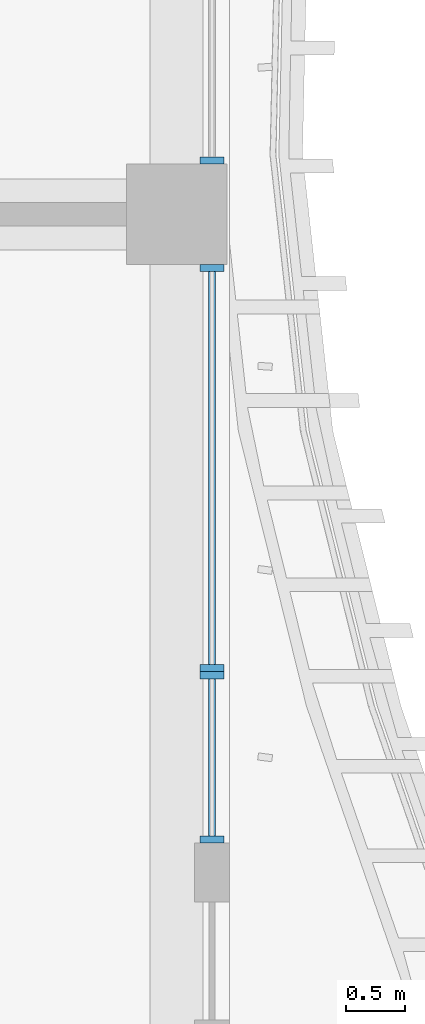
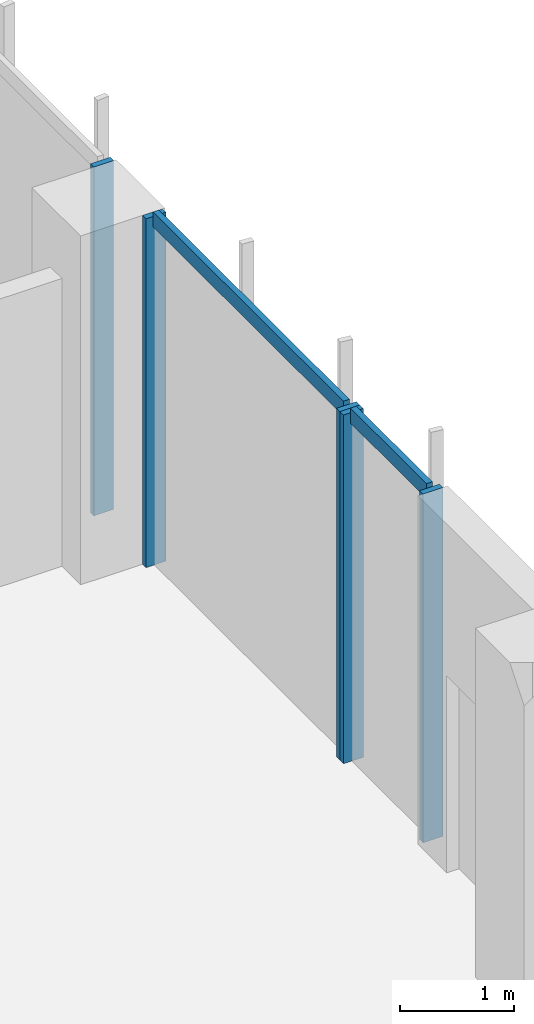
# One storey, part 6 of 25: 7 members, 3 elements without a shape of their own.
"""IFC4 building model written with IfcOpenShell, lengths in metres."""

from ifc_helpers import new_model, si_unit, direction, frame, origin, origin_2d, place, context, subcontext, project, spatial, rectangle, extrude, source, transform, mapped, material, material_profile, profile_set, type_object, element, aggregate, save


model = new_model("IFC4")

# Units and contexts
model_context = context("Model", 3, precision=1e-05, world=origin(), true_north=direction((0.0, 1.0)))
body_context = subcontext(model_context, "Body", "Model", "MODEL_VIEW")
ifc_project = project(units=[si_unit("LENGTHUNIT", "METRE"), si_unit("AREAUNIT", "SQUARE_METRE"), si_unit("VOLUMEUNIT", "CUBIC_METRE"), si_unit("PLANEANGLEUNIT", "RADIAN"), si_unit("MASSUNIT", "GRAM", prefix="KILO")], contexts=[model_context])

# Site, building, storey
site_placement = place(None, origin())
site = spatial("IfcSite", under=ifc_project, at=site_placement, CompositionType="ELEMENT")
building_placement = place(site_placement, origin())
building = spatial("IfcBuilding", under=site, at=building_placement, Name="Kilnfold Tower and Market Hall", CompositionType="ELEMENT")
storey_placement = place(building_placement, frame((0.0, 0.0, 120.60009765625)))
storey = spatial("IfcBuildingStorey", under=building, at=storey_placement, Name="L28", CompositionType="ELEMENT", Elevation=120.60009765625)

# Curtain wall, members
ifc_material_1 = material(Name="Aluminium and double glazing", Category="aluminium")
curtain_wall_type = type_object("IfcCurtainWallType", Name="CW OF2 VALLEY GLAZING", PredefinedType="NOTDEFINED", material=ifc_material_1)
curtain_wall_1_placement = place(storey_placement, origin())
curtain_wall_1 = element("IfcCurtainWall", 1, at=curtain_wall_1_placement, inside=storey, type_object=curtain_wall_type, Name="Curtain wall CW2 L28 E", PredefinedType="NOTDEFINED")
ifc_material_2 = material(Name="Aluminium", Category="aluminium")
ifc_material_profile_1 = material_profile(ifc_material_2, rectangle(XDim=0.06005859375, YDim=0.199951171875, at=origin_2d()), Name="MULLION 60x200")
ifc_profile_set_1 = profile_set([ifc_material_profile_1], Name="Aluminium")
member_type_1 = type_object("IfcMemberType", Name="MULLION 60X200", PredefinedType="MULLION", material=ifc_profile_set_1)
shared_shape_1 = source(origin(), body_context, "Body", "SweptSolid", [
    extrude(rectangle(XDim=0.06005859375, YDim=0.199951171875, at=origin_2d()), origin(), (0.0, 0.0, 1.0), 3.719970703125),
])
member_1_placement = place(storey_placement, frame((32.85009765625, 2.705078125, 0.0), z_axis=(0.0, 0.0, 1.0), x_axis=(0.0, 1.0, 0.0)))
member_1 = element("IfcMember", 2, at=member_1_placement, type_object=member_type_1, Name="CW2 mullion 1", PredefinedType="MULLION", context=body_context, shape_type="MappedRepresentation", body=[
    mapped(shared_shape_1, transform((0.0, 0.0, 0.0))),
])
member_2_placement = place(storey_placement, frame((32.85009765625, 4.094970703125, 0.0), z_axis=(0.0, 0.0, 1.0), x_axis=(0.0, 1.0, 0.0)))
member_2 = element("IfcMember", 3, at=member_2_placement, type_object=member_type_1, Name="CW2 mullion 2", PredefinedType="MULLION", context=body_context, shape_type="MappedRepresentation", body=[
    mapped(shared_shape_1, transform((0.0, 0.0, 0.0))),
])

curtain_wall_2_placement = place(storey_placement, origin())
curtain_wall_2 = element("IfcCurtainWall", 4, at=curtain_wall_2_placement, inside=storey, type_object=curtain_wall_type, Name="Curtain wall CW2 L28 E", PredefinedType="NOTDEFINED")
member_3_placement = place(storey_placement, frame((32.85009765625, 4.155029296875, 0.0), z_axis=(0.0, 0.0, 1.0), x_axis=(0.0, 1.0, 0.0)))
member_3 = element("IfcMember", 5, at=member_3_placement, type_object=member_type_1, Name="CW2 mullion 1", PredefinedType="MULLION", context=body_context, shape_type="MappedRepresentation", body=[
    mapped(shared_shape_1, transform((0.0, 0.0, 0.0))),
])
member_4_placement = place(storey_placement, frame((32.85009765625, 7.544921875, 0.0), z_axis=(0.0, 0.0, 1.0), x_axis=(0.0, 1.0, 0.0)))
member_4 = element("IfcMember", 6, at=member_4_placement, type_object=member_type_1, Name="CW2 mullion 2", PredefinedType="MULLION", context=body_context, shape_type="MappedRepresentation", body=[
    mapped(shared_shape_1, transform((0.0, 0.0, 0.0))),
])

# Curtain wall, member
curtain_wall_3_placement = place(storey_placement, origin())
curtain_wall_3 = element("IfcCurtainWall", 7, at=curtain_wall_3_placement, inside=storey, type_object=curtain_wall_type, Name="Curtain wall CW2 L28 E", PredefinedType="NOTDEFINED")
member_5_placement = place(storey_placement, frame((32.85009765625, 8.455078125, 0.0), z_axis=(0.0, 0.0, 1.0), x_axis=(0.0, 1.0, 0.0)))
member_5 = element("IfcMember", 8, at=member_5_placement, type_object=member_type_1, Name="CW2 mullion 1", PredefinedType="MULLION", context=body_context, shape_type="MappedRepresentation", body=[
    mapped(shared_shape_1, transform((0.0, 0.0, 0.0))),
])
aggregate(curtain_wall_3, [member_5])

# Member
ifc_material_3 = material(Name="Aluminium", Category="aluminium")
ifc_material_profile_2 = material_profile(ifc_material_3, rectangle(XDim=0.06005859375, YDim=0.159912109375, at=origin_2d()), Name="TRANSOM 60x160")
ifc_profile_set_2 = profile_set([ifc_material_profile_2], Name="Aluminium")
member_type_2 = type_object("IfcMemberType", Name="TRANSOM 60X160", PredefinedType="USERDEFINED", material=ifc_profile_set_2)
shared_shape_2 = source(origin(), body_context, "Body", "SweptSolid", [
    extrude(rectangle(XDim=0.06005859375, YDim=0.159912109375, at=origin_2d()), origin(), (0.0, 0.0, 1.0), 3.329833984375),
])
member_6_placement = place(storey_placement, frame((32.85009765625, 4.18505859375, 3.68994140625), z_axis=(0.0, 1.0, 0.0), x_axis=(-1.0, 0.0, 0.0)))
member_6 = element("IfcMember", 9, at=member_6_placement, type_object=member_type_2, Name="CW2 transom 1.2", ObjectType="TRANSOM", PredefinedType="USERDEFINED", context=body_context, shape_type="MappedRepresentation", body=[
    mapped(shared_shape_2, transform((0.0, 0.0, 0.0))),
])

aggregate(curtain_wall_2, [member_3, member_4, member_6])

shared_shape_3 = source(origin(), body_context, "Body", "SweptSolid", [
    extrude(rectangle(XDim=0.06005859375, YDim=0.159912109375, at=origin_2d()), origin(), (0.0, 0.0, 1.0), 1.329833984375),
])
member_7_placement = place(storey_placement, frame((32.85009765625, 2.735107421875, 3.68994140625), z_axis=(0.0, 1.0, 0.0), x_axis=(-1.0, 0.0, 0.0)))
member_7 = element("IfcMember", 10, at=member_7_placement, type_object=member_type_2, Name="CW2 transom 1.2", ObjectType="TRANSOM", PredefinedType="USERDEFINED", context=body_context, shape_type="MappedRepresentation", body=[
    mapped(shared_shape_3, transform((0.0, 0.0, 0.0))),
])

aggregate(curtain_wall_1, [member_1, member_2, member_7])

save(model, "model.ifc")
